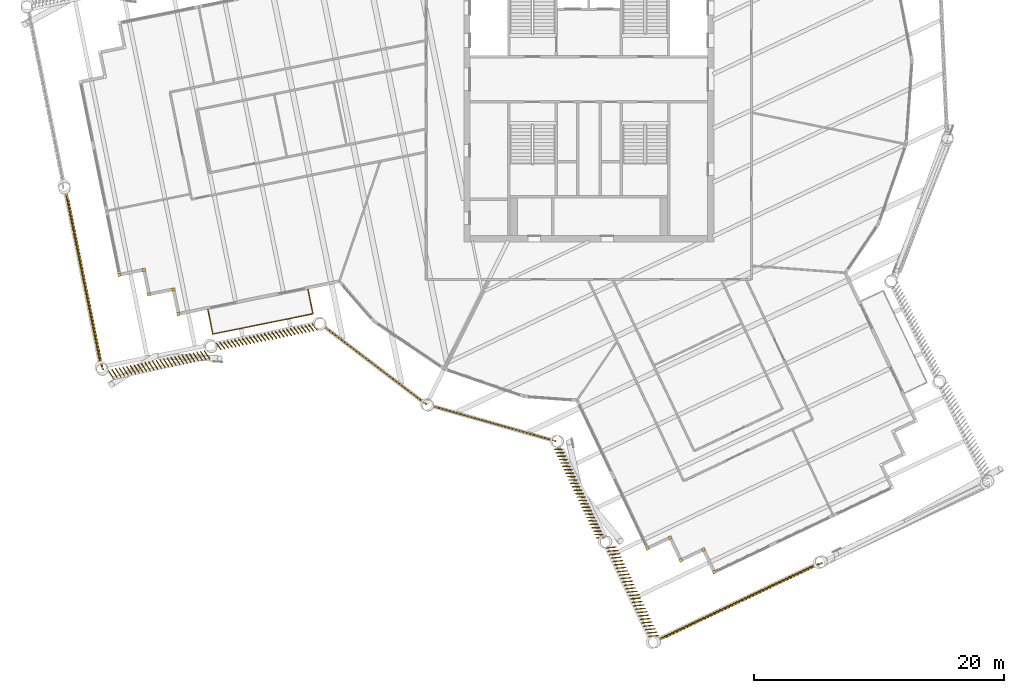
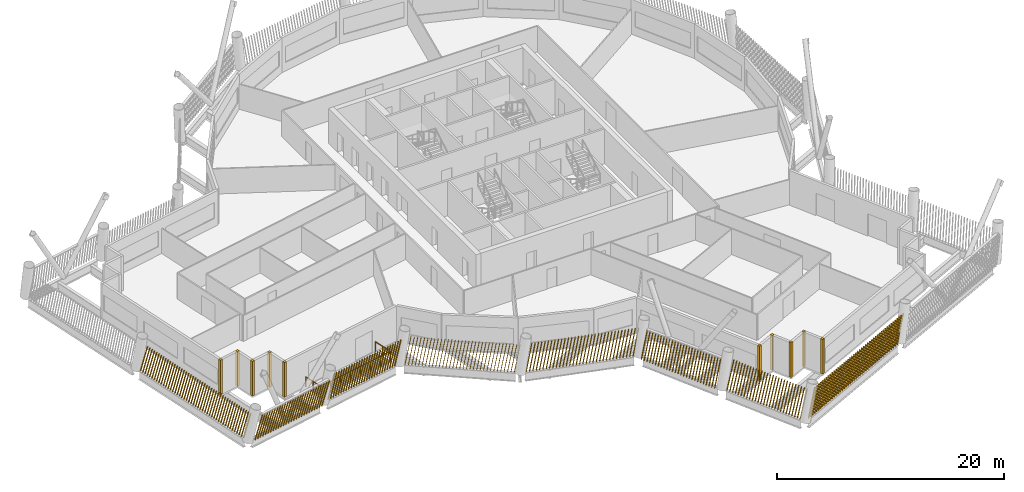
# One storey, part 17 of 21: 18 shading devices, 1 railing.
"""IFC4 building model written with IfcOpenShell, lengths in metres."""

from ifc_helpers import new_model, si_unit, direction, frame, frame_2d, origin, origin_2d, place, context, subcontext, project, spatial, rectangle, circle, composite_profile, extrude, material, type_object, element, save


model = new_model("IFC4")

# Units and contexts
model_context = context("Model", 3, precision=1e-05, world=origin(), true_north=direction((0.0, 1.0)))
body_context = subcontext(model_context, "Body", "Model", "MODEL_VIEW")
ifc_project = project(units=[si_unit("LENGTHUNIT", "METRE"), si_unit("AREAUNIT", "SQUARE_METRE"), si_unit("VOLUMEUNIT", "CUBIC_METRE"), si_unit("PLANEANGLEUNIT", "RADIAN"), si_unit("MASSUNIT", "GRAM", prefix="KILO")], contexts=[model_context])

# Site, building, storey
site_placement = place(None, origin())
site = spatial("IfcSite", under=ifc_project, at=site_placement, CompositionType="ELEMENT")
building_placement = place(site_placement, origin())
building = spatial("IfcBuilding", under=site, at=building_placement, Name="Tarsis Ring Headquarters", CompositionType="ELEMENT")
storey_placement = place(building_placement, frame((0.0, 0.0, 331.39990234375)))
storey = spatial("IfcBuildingStorey", under=building, at=storey_placement, Name="L78", CompositionType="ELEMENT", Elevation=331.39990234375)

# Railing
ifc_material_1 = material(Name="Stainless steel guard", Category="steel")
railing_type = type_object("IfcRailingType", Name="Balcony balustrade with mesh infill 1100", PredefinedType="BALUSTRADE", material=ifc_material_1)
railing_placement = place(storey_placement, frame((-30.454345703125, -18.406005859375, 0.0)))
element("IfcRailing", 1, at=railing_placement, inside=storey, type_object=railing_type, Name="Balcony balustrade L78-01", PredefinedType="BALUSTRADE", context=body_context, shape_type="SweptSolid", body=[
    extrude(circle(Radius=0.030029296875, at=origin_2d()), frame((0.0, 0.0, 1.070068359375), z_axis=(0.198369280006, -0.980127353332, 0.0), x_axis=(0.980127353332, 0.198369280006, 0.0)), (0.0, 0.0, 1.0), 2.0),
    extrude(circle(Radius=0.030029296875, at=origin_2d()), frame((0.396728515625, -1.960205078125, 1.070068359375), z_axis=(0.980132304377, 0.198344815703, 0.0), x_axis=(-0.198344815703, 0.980132304377, 0.0)), (0.0, 0.0, 1.0), 8.171875),
    extrude(circle(Radius=0.030029296875, at=origin_2d()), frame((8.40625, -0.33935546875, 1.070068359375), z_axis=(-0.198369280006, 0.980127353332, 0.0), x_axis=(-0.980127353332, -0.198369280006, 0.0)), (0.0, 0.0, 1.0), 2.0),
    extrude(circle(Radius=0.02490234375, at=origin_2d()), origin(), (0.0, 0.0, 1.0), 1.0400390625),
    extrude(circle(Radius=0.02490234375, at=origin_2d()), frame((0.1982421875, -0.97998046875, 0.0)), (0.0, 0.0, 1.0), 1.0400390625),
    extrude(circle(Radius=0.02490234375, at=origin_2d()), frame((0.396728515625, -1.960205078125, 0.0)), (0.0, 0.0, 1.0), 1.0400390625),
    extrude(circle(Radius=0.02490234375, at=origin_2d()), frame((1.541015625, -1.728759765625, 0.0)), (0.0, 0.0, 1.0), 1.0400390625),
    extrude(circle(Radius=0.02490234375, at=origin_2d()), frame((2.68505859375, -1.4970703125, 0.0)), (0.0, 0.0, 1.0), 1.0400390625),
    extrude(circle(Radius=0.02490234375, at=origin_2d()), frame((3.829345703125, -1.265625, 0.0)), (0.0, 0.0, 1.0), 1.0400390625),
    extrude(circle(Radius=0.02490234375, at=origin_2d()), frame((4.9736328125, -1.033935546875, 0.0)), (0.0, 0.0, 1.0), 1.0400390625),
    extrude(circle(Radius=0.02490234375, at=origin_2d()), frame((6.117919921875, -0.802490234375, 0.0)), (0.0, 0.0, 1.0), 1.0400390625),
    extrude(circle(Radius=0.02490234375, at=origin_2d()), frame((7.261962890625, -0.57080078125, 0.0)), (0.0, 0.0, 1.0), 1.0400390625),
    extrude(circle(Radius=0.02490234375, at=origin_2d()), frame((8.40625, -0.33935546875, 0.0)), (0.0, 0.0, 1.0), 1.0400390625),
    extrude(circle(Radius=0.02490234375, at=origin_2d()), frame((8.2080078125, 0.640625, 0.0)), (0.0, 0.0, 1.0), 1.0400390625),
    extrude(circle(Radius=0.02490234375, at=origin_2d()), frame((8.009521484375, 1.620849609375, 0.0)), (0.0, 0.0, 1.0), 1.0400390625),
])

# Shading devices
ifc_material_2 = material(Name="Terracotta baguette", Category="masonry")
shading_device_type_1 = type_object("IfcShadingDeviceType", Name="Terracotta baguette screen", PredefinedType="USERDEFINED", material=ifc_material_2)
shading_device_1_placement = place(storey_placement, frame((-12.507568359375, -26.11962890625, 0.0), z_axis=(0.0, 0.0, 1.0), x_axis=(0.961848844472, -0.273554028732, 0.0)))
element("IfcShadingDevice", 2, at=shading_device_1_placement, inside=storey, type_object=shading_device_type_1, Name="Baguette screen L78-00", ObjectType="Terracotta baguette screen", PredefinedType="USERDEFINED", context=body_context, shape_type="SweptSolid", body=[
    extrude(composite_profile([rectangle(XDim=0.06005859375, YDim=0.1201171875, at=frame_2d((0.030029296875, 0.0))), rectangle(XDim=0.06005859375, YDim=0.1201171875, at=frame_2d((0.33349609375, 0.0))), rectangle(XDim=0.06005859375, YDim=0.1201171875, at=frame_2d((0.636962890625, 0.0))), rectangle(XDim=0.06005859375, YDim=0.1201171875, at=frame_2d((0.9404296875, 0.0))), rectangle(XDim=0.06005859375, YDim=0.1201171875, at=frame_2d((1.243896484375, 0.0))), rectangle(XDim=0.06005859375, YDim=0.1201171875, at=frame_2d((1.54736328125, 0.0))), rectangle(XDim=0.06005859375, YDim=0.1201171875, at=frame_2d((1.85107421875, 0.0))), rectangle(XDim=0.06005859375, YDim=0.1201171875, at=frame_2d((2.154541015625, 0.0))), rectangle(XDim=0.06005859375, YDim=0.1201171875, at=frame_2d((2.4580078125, 0.0))), rectangle(XDim=0.06005859375, YDim=0.1201171875, at=frame_2d((2.761474609375, 0.0))), rectangle(XDim=0.06005859375, YDim=0.1201171875, at=frame_2d((3.06494140625, 0.0))), rectangle(XDim=0.06005859375, YDim=0.1201171875, at=frame_2d((3.368408203125, 0.0))), rectangle(XDim=0.06005859375, YDim=0.1201171875, at=frame_2d((3.671875, 0.0))), rectangle(XDim=0.06005859375, YDim=0.1201171875, at=frame_2d((3.975341796875, 0.0))), rectangle(XDim=0.06005859375, YDim=0.1201171875, at=frame_2d((4.27880859375, 0.0))), rectangle(XDim=0.06005859375, YDim=0.1201171875, at=frame_2d((4.582275390625, 0.0))), rectangle(XDim=0.06005859375, YDim=0.1201171875, at=frame_2d((4.8857421875, 0.0))), rectangle(XDim=0.06005859375, YDim=0.1201171875, at=frame_2d((5.189453125, 0.0))), rectangle(XDim=0.06005859375, YDim=0.1201171875, at=frame_2d((5.492919921875, 0.0))), rectangle(XDim=0.06005859375, YDim=0.1201171875, at=frame_2d((5.79638671875, 0.0))), rectangle(XDim=0.06005859375, YDim=0.1201171875, at=frame_2d((6.099853515625, 0.0))), rectangle(XDim=0.06005859375, YDim=0.1201171875, at=frame_2d((6.4033203125, 0.0))), rectangle(XDim=0.06005859375, YDim=0.1201171875, at=frame_2d((6.706787109375, 0.0))), rectangle(XDim=0.06005859375, YDim=0.1201171875, at=frame_2d((7.01025390625, 0.0))), rectangle(XDim=0.06005859375, YDim=0.1201171875, at=frame_2d((7.313720703125, 0.0))), rectangle(XDim=0.06005859375, YDim=0.1201171875, at=frame_2d((7.6171875, 0.0))), rectangle(XDim=0.06005859375, YDim=0.1201171875, at=frame_2d((7.920654296875, 0.0))), rectangle(XDim=0.06005859375, YDim=0.1201171875, at=frame_2d((8.224365234375, 0.0))), rectangle(XDim=0.06005859375, YDim=0.1201171875, at=frame_2d((8.52783203125, 0.0))), rectangle(XDim=0.06005859375, YDim=0.1201171875, at=frame_2d((8.831298828125, 0.0))), rectangle(XDim=0.06005859375, YDim=0.1201171875, at=frame_2d((9.134765625, 0.0))), rectangle(XDim=0.06005859375, YDim=0.1201171875, at=frame_2d((9.438232421875, 0.0))), rectangle(XDim=0.06005859375, YDim=0.1201171875, at=frame_2d((9.74169921875, 0.0)))]), origin(), (0.17195971111, 0.001563779774, 0.985102742026), 3.012939453125),
])
shading_device_2_placement = place(storey_placement, frame((-2.75146484375, -29.5419921875, 0.0), z_axis=(0.0, 0.0, 1.0), x_axis=(0.429560059318, -0.903021502719, 0.0)))
element("IfcShadingDevice", 3, at=shading_device_2_placement, inside=storey, type_object=shading_device_type_1, Name="Baguette screen L78-01", ObjectType="Terracotta baguette screen", PredefinedType="USERDEFINED", context=body_context, shape_type="SweptSolid", body=[
    extrude(composite_profile([rectangle(XDim=0.06005859375, YDim=0.1201171875, at=frame_2d((0.030029296875, 0.0))), rectangle(XDim=0.06005859375, YDim=0.1201171875, at=frame_2d((0.33154296875, 0.0))), rectangle(XDim=0.06005859375, YDim=0.1201171875, at=frame_2d((0.63330078125, 0.0))), rectangle(XDim=0.06005859375, YDim=0.1201171875, at=frame_2d((0.934814453125, 0.0))), rectangle(XDim=0.06005859375, YDim=0.1201171875, at=frame_2d((1.236572265625, 0.0))), rectangle(XDim=0.06005859375, YDim=0.1201171875, at=frame_2d((1.5380859375, 0.0))), rectangle(XDim=0.06005859375, YDim=0.1201171875, at=frame_2d((1.83984375, 0.0))), rectangle(XDim=0.06005859375, YDim=0.1201171875, at=frame_2d((2.141357421875, 0.0))), rectangle(XDim=0.06005859375, YDim=0.1201171875, at=frame_2d((2.443115234375, 0.0))), rectangle(XDim=0.06005859375, YDim=0.1201171875, at=frame_2d((2.74462890625, 0.0))), rectangle(XDim=0.06005859375, YDim=0.1201171875, at=frame_2d((3.04638671875, 0.0))), rectangle(XDim=0.06005859375, YDim=0.1201171875, at=frame_2d((3.347900390625, 0.0))), rectangle(XDim=0.06005859375, YDim=0.1201171875, at=frame_2d((3.649658203125, 0.0))), rectangle(XDim=0.06005859375, YDim=0.1201171875, at=frame_2d((3.951171875, 0.0))), rectangle(XDim=0.06005859375, YDim=0.1201171875, at=frame_2d((4.252685546875, 0.0))), rectangle(XDim=0.06005859375, YDim=0.1201171875, at=frame_2d((4.554443359375, 0.0))), rectangle(XDim=0.06005859375, YDim=0.1201171875, at=frame_2d((4.85595703125, 0.0))), rectangle(XDim=0.06005859375, YDim=0.1201171875, at=frame_2d((5.15771484375, 0.0))), rectangle(XDim=0.06005859375, YDim=0.1201171875, at=frame_2d((5.459228515625, 0.0))), rectangle(XDim=0.06005859375, YDim=0.1201171875, at=frame_2d((5.760986328125, 0.0))), rectangle(XDim=0.06005859375, YDim=0.1201171875, at=frame_2d((6.0625, 0.0))), rectangle(XDim=0.06005859375, YDim=0.1201171875, at=frame_2d((6.3642578125, 0.0))), rectangle(XDim=0.06005859375, YDim=0.1201171875, at=frame_2d((6.665771484375, 0.0))), rectangle(XDim=0.06005859375, YDim=0.1201171875, at=frame_2d((6.967529296875, 0.0))), rectangle(XDim=0.06005859375, YDim=0.1201171875, at=frame_2d((7.26904296875, 0.0))), rectangle(XDim=0.06005859375, YDim=0.1201171875, at=frame_2d((7.57080078125, 0.0))), rectangle(XDim=0.06005859375, YDim=0.1201171875, at=frame_2d((7.872314453125, 0.0)))]), origin(), (0.089349415769, 0.177313694102, 0.98009006514), 3.0283203125),
])
shading_device_3_placement = place(storey_placement, frame((1.4111328125, -37.419921875, 0.0), z_axis=(0.0, 0.0, 1.0), x_axis=(0.429560059318, -0.903021502719, 0.0)))
element("IfcShadingDevice", 4, at=shading_device_3_placement, inside=storey, type_object=shading_device_type_1, Name="Baguette screen L78-02", ObjectType="Terracotta baguette screen", PredefinedType="USERDEFINED", context=body_context, shape_type="SweptSolid", body=[
    extrude(composite_profile([rectangle(XDim=0.06005859375, YDim=0.1201171875, at=frame_2d((0.030029296875, 0.0))), rectangle(XDim=0.06005859375, YDim=0.1201171875, at=frame_2d((0.33154296875, 0.0))), rectangle(XDim=0.06005859375, YDim=0.1201171875, at=frame_2d((0.63330078125, 0.0))), rectangle(XDim=0.06005859375, YDim=0.1201171875, at=frame_2d((0.934814453125, 0.0))), rectangle(XDim=0.06005859375, YDim=0.1201171875, at=frame_2d((1.236572265625, 0.0))), rectangle(XDim=0.06005859375, YDim=0.1201171875, at=frame_2d((1.5380859375, 0.0))), rectangle(XDim=0.06005859375, YDim=0.1201171875, at=frame_2d((1.83984375, 0.0))), rectangle(XDim=0.06005859375, YDim=0.1201171875, at=frame_2d((2.141357421875, 0.0))), rectangle(XDim=0.06005859375, YDim=0.1201171875, at=frame_2d((2.443115234375, 0.0))), rectangle(XDim=0.06005859375, YDim=0.1201171875, at=frame_2d((2.74462890625, 0.0))), rectangle(XDim=0.06005859375, YDim=0.1201171875, at=frame_2d((3.04638671875, 0.0))), rectangle(XDim=0.06005859375, YDim=0.1201171875, at=frame_2d((3.347900390625, 0.0))), rectangle(XDim=0.06005859375, YDim=0.1201171875, at=frame_2d((3.649658203125, 0.0))), rectangle(XDim=0.06005859375, YDim=0.1201171875, at=frame_2d((3.951171875, 0.0))), rectangle(XDim=0.06005859375, YDim=0.1201171875, at=frame_2d((4.252685546875, 0.0))), rectangle(XDim=0.06005859375, YDim=0.1201171875, at=frame_2d((4.554443359375, 0.0))), rectangle(XDim=0.06005859375, YDim=0.1201171875, at=frame_2d((4.85595703125, 0.0))), rectangle(XDim=0.06005859375, YDim=0.1201171875, at=frame_2d((5.15771484375, 0.0))), rectangle(XDim=0.06005859375, YDim=0.1201171875, at=frame_2d((5.459228515625, 0.0))), rectangle(XDim=0.06005859375, YDim=0.1201171875, at=frame_2d((5.760986328125, 0.0))), rectangle(XDim=0.06005859375, YDim=0.1201171875, at=frame_2d((6.0625, 0.0))), rectangle(XDim=0.06005859375, YDim=0.1201171875, at=frame_2d((6.3642578125, 0.0))), rectangle(XDim=0.06005859375, YDim=0.1201171875, at=frame_2d((6.665771484375, 0.0))), rectangle(XDim=0.06005859375, YDim=0.1201171875, at=frame_2d((6.967529296875, 0.0))), rectangle(XDim=0.06005859375, YDim=0.1201171875, at=frame_2d((7.26904296875, 0.0))), rectangle(XDim=0.06005859375, YDim=0.1201171875, at=frame_2d((7.57080078125, 0.0))), rectangle(XDim=0.06005859375, YDim=0.1201171875, at=frame_2d((7.872314453125, 0.0)))]), origin(), (0.085710571215, 0.228233234514, 0.969826421915), 3.060302734375),
])
shading_device_4_placement = place(storey_placement, frame((5.471923828125, -44.792724609375, 0.0), z_axis=(0.0, 0.0, 1.0), x_axis=(0.903034055728, 0.429562140646, 0.0)))
element("IfcShadingDevice", 5, at=shading_device_4_placement, inside=storey, type_object=shading_device_type_1, Name="Baguette screen L78-03", ObjectType="Terracotta baguette screen", PredefinedType="USERDEFINED", context=body_context, shape_type="SweptSolid", body=[
    extrude(composite_profile([rectangle(XDim=0.06005859375, YDim=0.1201171875, at=frame_2d((0.030029296875, 0.0))), rectangle(XDim=0.06005859375, YDim=0.1201171875, at=frame_2d((0.33544921875, 0.0))), rectangle(XDim=0.06005859375, YDim=0.1201171875, at=frame_2d((0.640625, 0.0))), rectangle(XDim=0.06005859375, YDim=0.1201171875, at=frame_2d((0.946044921875, 0.0))), rectangle(XDim=0.06005859375, YDim=0.1201171875, at=frame_2d((1.25146484375, 0.0))), rectangle(XDim=0.06005859375, YDim=0.1201171875, at=frame_2d((1.556640625, 0.0))), rectangle(XDim=0.06005859375, YDim=0.1201171875, at=frame_2d((1.862060546875, 0.0))), rectangle(XDim=0.06005859375, YDim=0.1201171875, at=frame_2d((2.16748046875, 0.0))), rectangle(XDim=0.06005859375, YDim=0.1201171875, at=frame_2d((2.47265625, 0.0))), rectangle(XDim=0.06005859375, YDim=0.1201171875, at=frame_2d((2.778076171875, 0.0))), rectangle(XDim=0.06005859375, YDim=0.1201171875, at=frame_2d((3.08349609375, 0.0))), rectangle(XDim=0.06005859375, YDim=0.1201171875, at=frame_2d((3.388671875, 0.0))), rectangle(XDim=0.06005859375, YDim=0.1201171875, at=frame_2d((3.694091796875, 0.0))), rectangle(XDim=0.06005859375, YDim=0.1201171875, at=frame_2d((3.99951171875, 0.0))), rectangle(XDim=0.06005859375, YDim=0.1201171875, at=frame_2d((4.3046875, 0.0))), rectangle(XDim=0.06005859375, YDim=0.1201171875, at=frame_2d((4.610107421875, 0.0))), rectangle(XDim=0.06005859375, YDim=0.1201171875, at=frame_2d((4.91552734375, 0.0))), rectangle(XDim=0.06005859375, YDim=0.1201171875, at=frame_2d((5.220703125, 0.0))), rectangle(XDim=0.06005859375, YDim=0.1201171875, at=frame_2d((5.526123046875, 0.0))), rectangle(XDim=0.06005859375, YDim=0.1201171875, at=frame_2d((5.83154296875, 0.0))), rectangle(XDim=0.06005859375, YDim=0.1201171875, at=frame_2d((6.13671875, 0.0))), rectangle(XDim=0.06005859375, YDim=0.1201171875, at=frame_2d((6.442138671875, 0.0))), rectangle(XDim=0.06005859375, YDim=0.1201171875, at=frame_2d((6.74755859375, 0.0))), rectangle(XDim=0.06005859375, YDim=0.1201171875, at=frame_2d((7.052734375, 0.0))), rectangle(XDim=0.06005859375, YDim=0.1201171875, at=frame_2d((7.358154296875, 0.0))), rectangle(XDim=0.06005859375, YDim=0.1201171875, at=frame_2d((7.66357421875, 0.0))), rectangle(XDim=0.06005859375, YDim=0.1201171875, at=frame_2d((7.96875, 0.0))), rectangle(XDim=0.06005859375, YDim=0.1201171875, at=frame_2d((8.274169921875, 0.0))), rectangle(XDim=0.06005859375, YDim=0.1201171875, at=frame_2d((8.57958984375, 0.0))), rectangle(XDim=0.06005859375, YDim=0.1201171875, at=frame_2d((8.884765625, 0.0))), rectangle(XDim=0.06005859375, YDim=0.1201171875, at=frame_2d((9.190185546875, 0.0))), rectangle(XDim=0.06005859375, YDim=0.1201171875, at=frame_2d((9.49560546875, 0.0))), rectangle(XDim=0.06005859375, YDim=0.1201171875, at=frame_2d((9.80078125, 0.0))), rectangle(XDim=0.06005859375, YDim=0.1201171875, at=frame_2d((10.106201171875, 0.0))), rectangle(XDim=0.06005859375, YDim=0.1201171875, at=frame_2d((10.41162109375, 0.0))), rectangle(XDim=0.06005859375, YDim=0.1201171875, at=frame_2d((10.716796875, 0.0))), rectangle(XDim=0.06005859375, YDim=0.1201171875, at=frame_2d((11.022216796875, 0.0))), rectangle(XDim=0.06005859375, YDim=0.1201171875, at=frame_2d((11.32763671875, 0.0))), rectangle(XDim=0.06005859375, YDim=0.1201171875, at=frame_2d((11.6328125, 0.0))), rectangle(XDim=0.06005859375, YDim=0.1201171875, at=frame_2d((11.938232421875, 0.0))), rectangle(XDim=0.06005859375, YDim=0.1201171875, at=frame_2d((12.24365234375, 0.0))), rectangle(XDim=0.06005859375, YDim=0.1201171875, at=frame_2d((12.548828125, 0.0))), rectangle(XDim=0.06005859375, YDim=0.1201171875, at=frame_2d((12.854248046875, 0.0))), rectangle(XDim=0.06005859375, YDim=0.1201171875, at=frame_2d((13.15966796875, 0.0))), rectangle(XDim=0.06005859375, YDim=0.1201171875, at=frame_2d((13.46484375, 0.0))), rectangle(XDim=0.06005859375, YDim=0.1201171875, at=frame_2d((13.770263671875, 0.0)))]), origin(), (0.253360327204, -0.041440121056, 0.966483968292), 3.071044921875),
])
shading_device_5_placement = place(storey_placement, frame((-41.8505859375, -8.97900390625, 0.0), z_axis=(0.0, 0.0, 1.0), x_axis=(0.198337019018, -0.980132684653, 0.0)))
element("IfcShadingDevice", 6, at=shading_device_5_placement, inside=storey, type_object=shading_device_type_1, Name="Baguette screen L78-18", ObjectType="Terracotta baguette screen", PredefinedType="USERDEFINED", context=body_context, shape_type="SweptSolid", body=[
    extrude(composite_profile([rectangle(XDim=0.06005859375, YDim=0.1201171875, at=frame_2d((0.030029296875, 0.0))), rectangle(XDim=0.06005859375, YDim=0.1201171875, at=frame_2d((0.33544921875, 0.0))), rectangle(XDim=0.06005859375, YDim=0.1201171875, at=frame_2d((0.640625, 0.0))), rectangle(XDim=0.06005859375, YDim=0.1201171875, at=frame_2d((0.946044921875, 0.0))), rectangle(XDim=0.06005859375, YDim=0.1201171875, at=frame_2d((1.25146484375, 0.0))), rectangle(XDim=0.06005859375, YDim=0.1201171875, at=frame_2d((1.556640625, 0.0))), rectangle(XDim=0.06005859375, YDim=0.1201171875, at=frame_2d((1.862060546875, 0.0))), rectangle(XDim=0.06005859375, YDim=0.1201171875, at=frame_2d((2.16748046875, 0.0))), rectangle(XDim=0.06005859375, YDim=0.1201171875, at=frame_2d((2.47265625, 0.0))), rectangle(XDim=0.06005859375, YDim=0.1201171875, at=frame_2d((2.778076171875, 0.0))), rectangle(XDim=0.06005859375, YDim=0.1201171875, at=frame_2d((3.08349609375, 0.0))), rectangle(XDim=0.06005859375, YDim=0.1201171875, at=frame_2d((3.388671875, 0.0))), rectangle(XDim=0.06005859375, YDim=0.1201171875, at=frame_2d((3.694091796875, 0.0))), rectangle(XDim=0.06005859375, YDim=0.1201171875, at=frame_2d((3.99951171875, 0.0))), rectangle(XDim=0.06005859375, YDim=0.1201171875, at=frame_2d((4.3046875, 0.0))), rectangle(XDim=0.06005859375, YDim=0.1201171875, at=frame_2d((4.610107421875, 0.0))), rectangle(XDim=0.06005859375, YDim=0.1201171875, at=frame_2d((4.91552734375, 0.0))), rectangle(XDim=0.06005859375, YDim=0.1201171875, at=frame_2d((5.220703125, 0.0))), rectangle(XDim=0.06005859375, YDim=0.1201171875, at=frame_2d((5.526123046875, 0.0))), rectangle(XDim=0.06005859375, YDim=0.1201171875, at=frame_2d((5.83154296875, 0.0))), rectangle(XDim=0.06005859375, YDim=0.1201171875, at=frame_2d((6.13671875, 0.0))), rectangle(XDim=0.06005859375, YDim=0.1201171875, at=frame_2d((6.442138671875, 0.0))), rectangle(XDim=0.06005859375, YDim=0.1201171875, at=frame_2d((6.74755859375, 0.0))), rectangle(XDim=0.06005859375, YDim=0.1201171875, at=frame_2d((7.052734375, 0.0))), rectangle(XDim=0.06005859375, YDim=0.1201171875, at=frame_2d((7.358154296875, 0.0))), rectangle(XDim=0.06005859375, YDim=0.1201171875, at=frame_2d((7.66357421875, 0.0))), rectangle(XDim=0.06005859375, YDim=0.1201171875, at=frame_2d((7.96875, 0.0))), rectangle(XDim=0.06005859375, YDim=0.1201171875, at=frame_2d((8.274169921875, 0.0))), rectangle(XDim=0.06005859375, YDim=0.1201171875, at=frame_2d((8.57958984375, 0.0))), rectangle(XDim=0.06005859375, YDim=0.1201171875, at=frame_2d((8.884765625, 0.0))), rectangle(XDim=0.06005859375, YDim=0.1201171875, at=frame_2d((9.190185546875, 0.0))), rectangle(XDim=0.06005859375, YDim=0.1201171875, at=frame_2d((9.49560546875, 0.0))), rectangle(XDim=0.06005859375, YDim=0.1201171875, at=frame_2d((9.80078125, 0.0))), rectangle(XDim=0.06005859375, YDim=0.1201171875, at=frame_2d((10.106201171875, 0.0))), rectangle(XDim=0.06005859375, YDim=0.1201171875, at=frame_2d((10.41162109375, 0.0))), rectangle(XDim=0.06005859375, YDim=0.1201171875, at=frame_2d((10.716796875, 0.0))), rectangle(XDim=0.06005859375, YDim=0.1201171875, at=frame_2d((11.022216796875, 0.0))), rectangle(XDim=0.06005859375, YDim=0.1201171875, at=frame_2d((11.32763671875, 0.0))), rectangle(XDim=0.06005859375, YDim=0.1201171875, at=frame_2d((11.6328125, 0.0))), rectangle(XDim=0.06005859375, YDim=0.1201171875, at=frame_2d((11.938232421875, 0.0))), rectangle(XDim=0.06005859375, YDim=0.1201171875, at=frame_2d((12.24365234375, 0.0))), rectangle(XDim=0.06005859375, YDim=0.1201171875, at=frame_2d((12.548828125, 0.0))), rectangle(XDim=0.06005859375, YDim=0.1201171875, at=frame_2d((12.854248046875, 0.0))), rectangle(XDim=0.06005859375, YDim=0.1201171875, at=frame_2d((13.15966796875, 0.0))), rectangle(XDim=0.06005859375, YDim=0.1201171875, at=frame_2d((13.46484375, 0.0))), rectangle(XDim=0.06005859375, YDim=0.1201171875, at=frame_2d((13.770263671875, 0.0)))]), origin(), (0.252566667193, 0.046033769791, 0.966483818107), 3.071044921875),
])
shading_device_6_placement = place(storey_placement, frame((-38.44970703125, -23.263427734375, 0.0), z_axis=(0.0, 0.0, 1.0), x_axis=(0.980134087188, 0.198350171471, 0.0)))
element("IfcShadingDevice", 7, at=shading_device_6_placement, inside=storey, type_object=shading_device_type_1, Name="Baguette screen L78-19", ObjectType="Terracotta baguette screen", PredefinedType="USERDEFINED", context=body_context, shape_type="SweptSolid", body=[
    extrude(composite_profile([rectangle(XDim=0.06005859375, YDim=0.1201171875, at=frame_2d((0.030029296875, 0.0))), rectangle(XDim=0.06005859375, YDim=0.1201171875, at=frame_2d((0.33154296875, 0.0))), rectangle(XDim=0.06005859375, YDim=0.1201171875, at=frame_2d((0.63330078125, 0.0))), rectangle(XDim=0.06005859375, YDim=0.1201171875, at=frame_2d((0.934814453125, 0.0))), rectangle(XDim=0.06005859375, YDim=0.1201171875, at=frame_2d((1.236572265625, 0.0))), rectangle(XDim=0.06005859375, YDim=0.1201171875, at=frame_2d((1.5380859375, 0.0))), rectangle(XDim=0.06005859375, YDim=0.1201171875, at=frame_2d((1.83984375, 0.0))), rectangle(XDim=0.06005859375, YDim=0.1201171875, at=frame_2d((2.141357421875, 0.0))), rectangle(XDim=0.06005859375, YDim=0.1201171875, at=frame_2d((2.443115234375, 0.0))), rectangle(XDim=0.06005859375, YDim=0.1201171875, at=frame_2d((2.74462890625, 0.0))), rectangle(XDim=0.06005859375, YDim=0.1201171875, at=frame_2d((3.04638671875, 0.0))), rectangle(XDim=0.06005859375, YDim=0.1201171875, at=frame_2d((3.347900390625, 0.0))), rectangle(XDim=0.06005859375, YDim=0.1201171875, at=frame_2d((3.649658203125, 0.0))), rectangle(XDim=0.06005859375, YDim=0.1201171875, at=frame_2d((3.951171875, 0.0))), rectangle(XDim=0.06005859375, YDim=0.1201171875, at=frame_2d((4.252685546875, 0.0))), rectangle(XDim=0.06005859375, YDim=0.1201171875, at=frame_2d((4.554443359375, 0.0))), rectangle(XDim=0.06005859375, YDim=0.1201171875, at=frame_2d((4.85595703125, 0.0))), rectangle(XDim=0.06005859375, YDim=0.1201171875, at=frame_2d((5.15771484375, 0.0))), rectangle(XDim=0.06005859375, YDim=0.1201171875, at=frame_2d((5.459228515625, 0.0))), rectangle(XDim=0.06005859375, YDim=0.1201171875, at=frame_2d((5.760986328125, 0.0))), rectangle(XDim=0.06005859375, YDim=0.1201171875, at=frame_2d((6.0625, 0.0))), rectangle(XDim=0.06005859375, YDim=0.1201171875, at=frame_2d((6.3642578125, 0.0))), rectangle(XDim=0.06005859375, YDim=0.1201171875, at=frame_2d((6.665771484375, 0.0))), rectangle(XDim=0.06005859375, YDim=0.1201171875, at=frame_2d((6.967529296875, 0.0))), rectangle(XDim=0.06005859375, YDim=0.1201171875, at=frame_2d((7.26904296875, 0.0))), rectangle(XDim=0.06005859375, YDim=0.1201171875, at=frame_2d((7.57080078125, 0.0))), rectangle(XDim=0.06005859375, YDim=0.1201171875, at=frame_2d((7.872314453125, 0.0)))]), origin(), (0.092044462741, -0.226579565112, 0.969633702772), 3.06103515625),
])
shading_device_7_placement = place(storey_placement, frame((-29.798828125, -21.130126953125, 0.0), z_axis=(0.0, 0.0, 1.0), x_axis=(0.980134700939, 0.1983440435, 0.0)))
element("IfcShadingDevice", 8, at=shading_device_7_placement, inside=storey, type_object=shading_device_type_1, Name="Baguette screen L78-20", ObjectType="Terracotta baguette screen", PredefinedType="USERDEFINED", context=body_context, shape_type="SweptSolid", body=[
    extrude(composite_profile([rectangle(XDim=0.06005859375, YDim=0.1201171875, at=frame_2d((0.030029296875, 0.0))), rectangle(XDim=0.06005859375, YDim=0.1201171875, at=frame_2d((0.33154296875, 0.0))), rectangle(XDim=0.06005859375, YDim=0.1201171875, at=frame_2d((0.63330078125, 0.0))), rectangle(XDim=0.06005859375, YDim=0.1201171875, at=frame_2d((0.934814453125, 0.0))), rectangle(XDim=0.06005859375, YDim=0.1201171875, at=frame_2d((1.236572265625, 0.0))), rectangle(XDim=0.06005859375, YDim=0.1201171875, at=frame_2d((1.5380859375, 0.0))), rectangle(XDim=0.06005859375, YDim=0.1201171875, at=frame_2d((1.83984375, 0.0))), rectangle(XDim=0.06005859375, YDim=0.1201171875, at=frame_2d((2.141357421875, 0.0))), rectangle(XDim=0.06005859375, YDim=0.1201171875, at=frame_2d((2.443115234375, 0.0))), rectangle(XDim=0.06005859375, YDim=0.1201171875, at=frame_2d((2.74462890625, 0.0))), rectangle(XDim=0.06005859375, YDim=0.1201171875, at=frame_2d((3.04638671875, 0.0))), rectangle(XDim=0.06005859375, YDim=0.1201171875, at=frame_2d((3.347900390625, 0.0))), rectangle(XDim=0.06005859375, YDim=0.1201171875, at=frame_2d((3.649658203125, 0.0))), rectangle(XDim=0.06005859375, YDim=0.1201171875, at=frame_2d((3.951171875, 0.0))), rectangle(XDim=0.06005859375, YDim=0.1201171875, at=frame_2d((4.252685546875, 0.0))), rectangle(XDim=0.06005859375, YDim=0.1201171875, at=frame_2d((4.554443359375, 0.0))), rectangle(XDim=0.06005859375, YDim=0.1201171875, at=frame_2d((4.85595703125, 0.0))), rectangle(XDim=0.06005859375, YDim=0.1201171875, at=frame_2d((5.15771484375, 0.0))), rectangle(XDim=0.06005859375, YDim=0.1201171875, at=frame_2d((5.459228515625, 0.0))), rectangle(XDim=0.06005859375, YDim=0.1201171875, at=frame_2d((5.760986328125, 0.0))), rectangle(XDim=0.06005859375, YDim=0.1201171875, at=frame_2d((6.0625, 0.0))), rectangle(XDim=0.06005859375, YDim=0.1201171875, at=frame_2d((6.3642578125, 0.0))), rectangle(XDim=0.06005859375, YDim=0.1201171875, at=frame_2d((6.665771484375, 0.0))), rectangle(XDim=0.06005859375, YDim=0.1201171875, at=frame_2d((6.967529296875, 0.0))), rectangle(XDim=0.06005859375, YDim=0.1201171875, at=frame_2d((7.26904296875, 0.0))), rectangle(XDim=0.06005859375, YDim=0.1201171875, at=frame_2d((7.57080078125, 0.0))), rectangle(XDim=0.06005859375, YDim=0.1201171875, at=frame_2d((7.872314453125, 0.0)))]), origin(), (0.090324905381, -0.175721595095, 0.980287372399), 3.027587890625),
])
shading_device_8_placement = place(storey_placement, frame((-21.16552734375, -19.76611328125, 0.0), z_axis=(0.0, 0.0, 1.0), x_axis=(0.796052467208, -0.6052467208, 0.0)))
element("IfcShadingDevice", 9, at=shading_device_8_placement, inside=storey, type_object=shading_device_type_1, Name="Baguette screen L78-21", ObjectType="Terracotta baguette screen", PredefinedType="USERDEFINED", context=body_context, shape_type="SweptSolid", body=[
    extrude(composite_profile([rectangle(XDim=0.06005859375, YDim=0.1201171875, at=frame_2d((0.030029296875, 0.0))), rectangle(XDim=0.06005859375, YDim=0.1201171875, at=frame_2d((0.33349609375, 0.0))), rectangle(XDim=0.06005859375, YDim=0.1201171875, at=frame_2d((0.636962890625, 0.0))), rectangle(XDim=0.06005859375, YDim=0.1201171875, at=frame_2d((0.9404296875, 0.0))), rectangle(XDim=0.06005859375, YDim=0.1201171875, at=frame_2d((1.243896484375, 0.0))), rectangle(XDim=0.06005859375, YDim=0.1201171875, at=frame_2d((1.54736328125, 0.0))), rectangle(XDim=0.06005859375, YDim=0.1201171875, at=frame_2d((1.85107421875, 0.0))), rectangle(XDim=0.06005859375, YDim=0.1201171875, at=frame_2d((2.154541015625, 0.0))), rectangle(XDim=0.06005859375, YDim=0.1201171875, at=frame_2d((2.4580078125, 0.0))), rectangle(XDim=0.06005859375, YDim=0.1201171875, at=frame_2d((2.761474609375, 0.0))), rectangle(XDim=0.06005859375, YDim=0.1201171875, at=frame_2d((3.06494140625, 0.0))), rectangle(XDim=0.06005859375, YDim=0.1201171875, at=frame_2d((3.368408203125, 0.0))), rectangle(XDim=0.06005859375, YDim=0.1201171875, at=frame_2d((3.671875, 0.0))), rectangle(XDim=0.06005859375, YDim=0.1201171875, at=frame_2d((3.975341796875, 0.0))), rectangle(XDim=0.06005859375, YDim=0.1201171875, at=frame_2d((4.27880859375, 0.0))), rectangle(XDim=0.06005859375, YDim=0.1201171875, at=frame_2d((4.582275390625, 0.0))), rectangle(XDim=0.06005859375, YDim=0.1201171875, at=frame_2d((4.8857421875, 0.0))), rectangle(XDim=0.06005859375, YDim=0.1201171875, at=frame_2d((5.189453125, 0.0))), rectangle(XDim=0.06005859375, YDim=0.1201171875, at=frame_2d((5.492919921875, 0.0))), rectangle(XDim=0.06005859375, YDim=0.1201171875, at=frame_2d((5.79638671875, 0.0))), rectangle(XDim=0.06005859375, YDim=0.1201171875, at=frame_2d((6.099853515625, 0.0))), rectangle(XDim=0.06005859375, YDim=0.1201171875, at=frame_2d((6.4033203125, 0.0))), rectangle(XDim=0.06005859375, YDim=0.1201171875, at=frame_2d((6.706787109375, 0.0))), rectangle(XDim=0.06005859375, YDim=0.1201171875, at=frame_2d((7.01025390625, 0.0))), rectangle(XDim=0.06005859375, YDim=0.1201171875, at=frame_2d((7.313720703125, 0.0))), rectangle(XDim=0.06005859375, YDim=0.1201171875, at=frame_2d((7.6171875, 0.0))), rectangle(XDim=0.06005859375, YDim=0.1201171875, at=frame_2d((7.920654296875, 0.0))), rectangle(XDim=0.06005859375, YDim=0.1201171875, at=frame_2d((8.224365234375, 0.0))), rectangle(XDim=0.06005859375, YDim=0.1201171875, at=frame_2d((8.52783203125, 0.0))), rectangle(XDim=0.06005859375, YDim=0.1201171875, at=frame_2d((8.831298828125, 0.0))), rectangle(XDim=0.06005859375, YDim=0.1201171875, at=frame_2d((9.134765625, 0.0))), rectangle(XDim=0.06005859375, YDim=0.1201171875, at=frame_2d((9.438232421875, 0.0))), rectangle(XDim=0.06005859375, YDim=0.1201171875, at=frame_2d((9.74169921875, 0.0)))]), origin(), (0.171962718278, 0.001564110796, 0.985102216564), 3.012939453125),
])
shading_device_type_2 = type_object("IfcShadingDeviceType", Name="Terracotta corner baguette 250x250", PredefinedType="USERDEFINED", material=ifc_material_2)
for number, where, z_axis, x_axis, name in (
    (10, (-32.806884765625, -18.754638671875, 0.0), (0.0, 0.0, 1.0), (0.198341496579, -0.980132976047, 0.0), "Corner baguette L78-01"),
    (11, (4.68701171875, -37.49755859375, 0.0), (0.0, 0.0, 1.0), (0.429565738871, -0.903035589547, 0.0), "Corner baguette L78-07"),
    (12, (6.4931640625, -36.638427734375, 0.0), (0.0, 0.0, 1.0), (0.90303566452, 0.429565581262, 0.0), "Corner baguette L78-08"),
    (13, (7.352294921875, -38.4443359375, 0.0), (0.0, 0.0, 1.0), (0.42956539213, -0.903035754488, 0.0), "Corner baguette L78-09"),
    (14, (9.158447265625, -37.585205078125, 0.0), (0.0, 0.0, 1.0), (0.903035567055, 0.429565786154, 0.0), "Corner baguette L78-10"),
    (15, (10.017578125, -39.391357421875, 0.0), (0.0, 0.0, 1.0), (0.429565581262, -0.90303566452, 0.0), "Corner baguette L78-11"),
    (16, (-37.520751953125, -15.62744140625, 0.0), (0.0, 0.0, 1.0), (0.198341667645, -0.98013294143, 0.0), "Corner baguette L78-37"),
    (17, (-35.560546875, -15.230712890625, 0.0), (0.0, 0.0, 1.0), (0.980132858349, 0.198342078202, 0.0), "Corner baguette L78-38"),
    (18, (-35.163818359375, -17.19091796875, 0.0), (0.0, 0.0, 1.0), (0.198341496579, -0.980132976047, 0.0), "Corner baguette L78-39"),
    (19, (-33.20361328125, -16.79443359375, 0.0), (0.0, 0.0, 1.0), (0.980132996817, 0.19834139394, 0.0), "Corner baguette L78-40"),
):
    element("IfcShadingDevice", number, at=place(storey_placement, frame(where, z_axis=z_axis, x_axis=x_axis)), inside=storey, type_object=shading_device_type_2, Name=name, ObjectType="Terracotta corner baguette", PredefinedType="USERDEFINED", context=body_context, shape_type="SweptSolid", body=[
        extrude(rectangle(XDim=0.25, YDim=0.25, at=origin_2d()), origin(), (0.0, 0.0, 1.0), 3.739990234375),
    ])

save(model, "model.ifc")
